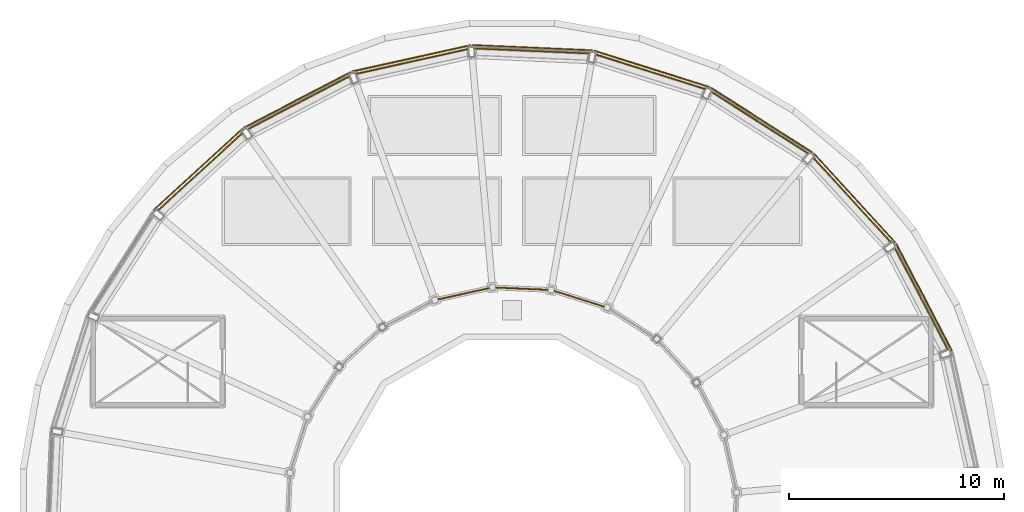
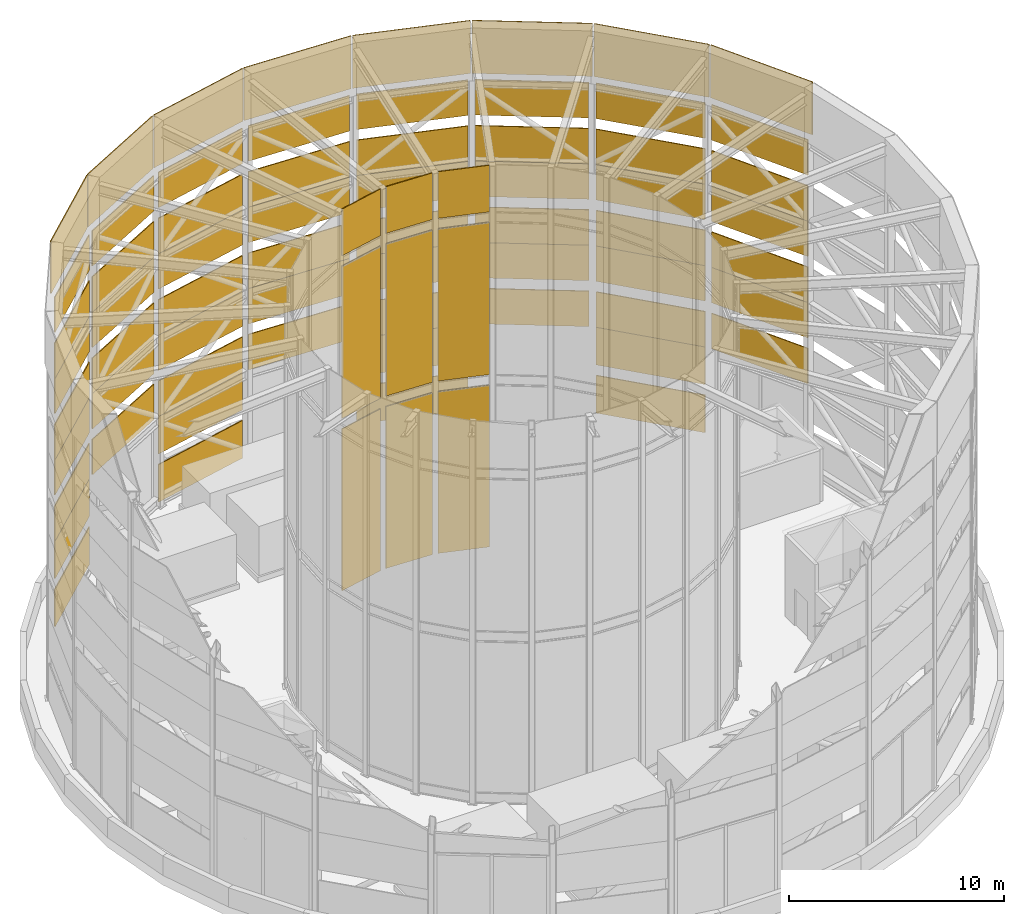
# One storey, part 19 of 20: 65 shading devices, 8 coverings.
"""IFC4 building model written with IfcOpenShell, lengths in metres."""

from ifc_helpers import new_model, si_unit, direction, frame, origin, origin_2d, place, context, subcontext, project, spatial, rectangle, extrude, material, layer, layer_set, type_object, element, save


model = new_model("IFC4")

# Units and contexts
model_context = context("Model", 3, precision=1e-05, world=origin(), true_north=direction((0.0, 1.0)))
body_context = subcontext(model_context, "Body", "Model", "MODEL_VIEW")
ifc_project = project(units=[si_unit("LENGTHUNIT", "METRE"), si_unit("AREAUNIT", "SQUARE_METRE"), si_unit("VOLUMEUNIT", "CUBIC_METRE"), si_unit("PLANEANGLEUNIT", "RADIAN"), si_unit("MASSUNIT", "GRAM", prefix="KILO")], contexts=[model_context])

# Site, building, storey
site_placement = place(None, origin())
site = spatial("IfcSite", under=ifc_project, at=site_placement, CompositionType="ELEMENT")
building_placement = place(site_placement, origin())
building = spatial("IfcBuilding", under=site, at=building_placement, Name="Saqina Gate Tower", CompositionType="ELEMENT")
storey_placement = place(building_placement, frame((0.0, 0.0, 284.199951171875)))
storey = spatial("IfcBuildingStorey", under=building, at=storey_placement, Name="RF", CompositionType="ELEMENT", Elevation=284.199951171875)

# Coverings
ifc_material_1 = material(Name="Glazed ceramic tile", Category="ceramic")
ifc_layer_1 = layer(ifc_material_1, 0.0400390625)
ifc_layer_set_1 = layer_set([ifc_layer_1], Name="CLAD-TILE")
covering_type = type_object("IfcCoveringType", Name="CLAD-TILE", PredefinedType="CLADDING", material=ifc_layer_set_1)
for number, where, z_axis, x_axis, name in (
    (1, (19.19580078125, 9.99267578125, 19.0), (0.0, 0.0, 1.0), (-0.461748613235, 0.887010833178, 0.0), "Crown cap cladding 2"),
    (2, (15.95556640625, 14.62060546875, 19.0), (0.0, 0.0, 1.0), (-0.675590207616, 0.73727733681, 0.0), "Crown cap cladding 3"),
    (3, (11.627685546875, 18.251953125, 19.0), (0.0, 0.0, 1.0), (-0.843391445813, 0.537299608347, 0.0), "Crown cap cladding 4"),
    (4, (6.507568359375, 20.639404296875, 19.0), (0.0, 0.0, 1.0), (-0.953716950748, 0.300705799504, 0.0), "Crown cap cladding 5"),
    (5, (0.944091796875, 21.62060546875, 19.0), (0.0, 0.0, 1.0), (-0.999048221582, 0.043619387365, 0.0), "Crown cap cladding 6"),
    (6, (-4.68408203125, 21.128173828125, 19.0), (0.0, 0.0, 1.0), (-0.97629600712, -0.216439613938, 0.0), "Crown cap cladding 7"),
    (7, (-9.99267578125, 19.19580078125, 19.0), (0.0, 0.0, 1.0), (-0.887010833178, -0.461748613235, 0.0), "Crown cap cladding 8"),
    (8, (-14.62060546875, 15.95556640625, 19.0), (0.0, 0.0, 1.0), (-0.73727733681, -0.675590207616, 0.0), "Crown cap cladding 9"),
):
    element("IfcCovering", number, at=place(storey_placement, frame(where, z_axis=z_axis, x_axis=x_axis)), inside=storey, type_object=covering_type, Name=name, PredefinedType="CLADDING", context=body_context, shape_type="SweptSolid", body=[
        extrude(rectangle(XDim=5.612548828125, YDim=0.050048828125, at=origin_2d()), origin(), (0.0, 0.0, 1.0), 3.0),
    ])

# Shading devices
ifc_material_2 = material(Name="Glazed ceramic tile", Category="ceramic")
ifc_layer_2 = layer(ifc_material_2, 0.050048828125)
ifc_layer_set_2 = layer_set([ifc_layer_2], Name="SCREEN-TILE")
shading_device_type_1 = type_object("IfcShadingDeviceType", Name="SCREEN-TILE", PredefinedType="JALOUSIE", material=ifc_layer_set_2)
for number, where, z_axis, x_axis, name in (
    (9, (19.062744140625, 9.923583984375, 4.875), (0.0, 0.0, 1.0), (-0.461748613235, 0.887010833178, 0.0), "Crown screen O2a.2"),
    (10, (19.062744140625, 9.923583984375, 12.11279296875), (0.0, 0.0, 1.0), (-0.461748613235, 0.887010833178, 0.0), "Crown screen O3b.2"),
    (11, (19.062744140625, 9.923583984375, 14.125), (0.0, 0.0, 1.0), (-0.461748613235, 0.887010833178, 0.0), "Crown screen O4a.2"),
):
    element("IfcShadingDevice", number, at=place(storey_placement, frame(where, z_axis=z_axis, x_axis=x_axis)), inside=storey, type_object=shading_device_type_1, Name=name, PredefinedType="JALOUSIE", context=body_context, shape_type="SweptSolid", body=[
        extrude(rectangle(XDim=5.310546875, YDim=0.050048828125, at=origin_2d()), origin(), (0.0, 0.0, 1.0), 2.012451171875),
    ])
shading_device_1_placement = place(storey_placement, frame((15.844970703125, 14.519287109375, 0.0), z_axis=(0.0, 0.0, 1.0), x_axis=(-0.675590207616, 0.73727733681, 0.0)))
element("IfcShadingDevice", 12, at=shading_device_1_placement, inside=storey, type_object=shading_device_type_1, Name="Crown screen O1a.3", PredefinedType="JALOUSIE", context=body_context, shape_type="SweptSolid", body=[
    extrude(rectangle(XDim=5.310546875, YDim=0.050048828125, at=origin_2d()), origin(), (0.0, 0.0, 1.0), 2.137451171875),
])
for number, where, z_axis, x_axis, name in (
    (13, (15.844970703125, 14.519287109375, 7.48779296875), (0.0, 0.0, 1.0), (-0.675590207616, 0.73727733681, 0.0), "Crown screen O2b.3"),
    (14, (15.844970703125, 14.519287109375, 9.5), (0.0, 0.0, 1.0), (-0.675590207616, 0.73727733681, 0.0), "Crown screen O3a.3"),
    (15, (15.844970703125, 14.519287109375, 16.73779296875), (0.0, 0.0, 1.0), (-0.675590207616, 0.73727733681, 0.0), "Crown screen O4b.3"),
    (16, (11.547119140625, 18.12548828125, 4.875), (0.0, 0.0, 1.0), (-0.843391445813, 0.537299608347, 0.0), "Crown screen O2a.4"),
    (17, (11.547119140625, 18.12548828125, 12.11279296875), (0.0, 0.0, 1.0), (-0.843391445813, 0.537299608347, 0.0), "Crown screen O3b.4"),
    (18, (11.547119140625, 18.12548828125, 14.125), (0.0, 0.0, 1.0), (-0.843391445813, 0.537299608347, 0.0), "Crown screen O4a.4"),
):
    element("IfcShadingDevice", number, at=place(storey_placement, frame(where, z_axis=z_axis, x_axis=x_axis)), inside=storey, type_object=shading_device_type_1, Name=name, PredefinedType="JALOUSIE", context=body_context, shape_type="SweptSolid", body=[
        extrude(rectangle(XDim=5.310546875, YDim=0.050048828125, at=origin_2d()), origin(), (0.0, 0.0, 1.0), 2.012451171875),
    ])
shading_device_2_placement = place(storey_placement, frame((6.46240234375, 20.496337890625, 0.0), z_axis=(0.0, 0.0, 1.0), x_axis=(-0.953716950748, 0.300705799504, 0.0)))
element("IfcShadingDevice", 19, at=shading_device_2_placement, inside=storey, type_object=shading_device_type_1, Name="Crown screen O1a.5", PredefinedType="JALOUSIE", context=body_context, shape_type="SweptSolid", body=[
    extrude(rectangle(XDim=5.310546875, YDim=0.050048828125, at=origin_2d()), origin(), (0.0, 0.0, 1.0), 2.137451171875),
])
for number, where, z_axis, x_axis, name in (
    (20, (6.46240234375, 20.496337890625, 7.48779296875), (0.0, 0.0, 1.0), (-0.953716950748, 0.300705799504, 0.0), "Crown screen O2b.5"),
    (21, (6.46240234375, 20.496337890625, 9.5), (0.0, 0.0, 1.0), (-0.953716950748, 0.300705799504, 0.0), "Crown screen O3a.5"),
    (22, (6.46240234375, 20.496337890625, 16.73779296875), (0.0, 0.0, 1.0), (-0.953716950748, 0.300705799504, 0.0), "Crown screen O4b.5"),
    (23, (0.9375, 21.470703125, 4.875), (0.0, 0.0, 1.0), (-0.999048221582, 0.043619387365, 0.0), "Crown screen O2a.6"),
    (24, (0.9375, 21.470703125, 12.11279296875), (0.0, 0.0, 1.0), (-0.999048221582, 0.043619387365, 0.0), "Crown screen O3b.6"),
    (25, (0.9375, 21.470703125, 14.125), (0.0, 0.0, 1.0), (-0.999048221582, 0.043619387365, 0.0), "Crown screen O4a.6"),
):
    element("IfcShadingDevice", number, at=place(storey_placement, frame(where, z_axis=z_axis, x_axis=x_axis)), inside=storey, type_object=shading_device_type_1, Name=name, PredefinedType="JALOUSIE", context=body_context, shape_type="SweptSolid", body=[
        extrude(rectangle(XDim=5.310546875, YDim=0.050048828125, at=origin_2d()), origin(), (0.0, 0.0, 1.0), 2.012451171875),
    ])
shading_device_3_placement = place(storey_placement, frame((-4.651611328125, 20.981689453125, 0.0), z_axis=(0.0, 0.0, 1.0), x_axis=(-0.97629600712, -0.216439613938, 0.0)))
element("IfcShadingDevice", 26, at=shading_device_3_placement, inside=storey, type_object=shading_device_type_1, Name="Crown screen O1a.7", PredefinedType="JALOUSIE", context=body_context, shape_type="SweptSolid", body=[
    extrude(rectangle(XDim=5.310546875, YDim=0.050048828125, at=origin_2d()), origin(), (0.0, 0.0, 1.0), 2.137451171875),
])
for number, where, z_axis, x_axis, name in (
    (27, (-4.651611328125, 20.981689453125, 7.48779296875), (0.0, 0.0, 1.0), (-0.97629600712, -0.216439613938, 0.0), "Crown screen O2b.7"),
    (28, (-4.651611328125, 20.981689453125, 9.5), (0.0, 0.0, 1.0), (-0.97629600712, -0.216439613938, 0.0), "Crown screen O3a.7"),
    (29, (-4.651611328125, 20.981689453125, 16.73779296875), (0.0, 0.0, 1.0), (-0.97629600712, -0.216439613938, 0.0), "Crown screen O4b.7"),
    (30, (-9.923583984375, 19.062744140625, 4.875), (0.0, 0.0, 1.0), (-0.887010833178, -0.461748613235, 0.0), "Crown screen O2a.8"),
    (31, (-9.923583984375, 19.062744140625, 12.11279296875), (0.0, 0.0, 1.0), (-0.887010833178, -0.461748613235, 0.0), "Crown screen O3b.8"),
    (32, (-9.923583984375, 19.062744140625, 14.125), (0.0, 0.0, 1.0), (-0.887010833178, -0.461748613235, 0.0), "Crown screen O4a.8"),
):
    element("IfcShadingDevice", number, at=place(storey_placement, frame(where, z_axis=z_axis, x_axis=x_axis)), inside=storey, type_object=shading_device_type_1, Name=name, PredefinedType="JALOUSIE", context=body_context, shape_type="SweptSolid", body=[
        extrude(rectangle(XDim=5.310546875, YDim=0.050048828125, at=origin_2d()), origin(), (0.0, 0.0, 1.0), 2.012451171875),
    ])
shading_device_4_placement = place(storey_placement, frame((-14.519287109375, 15.844970703125, 0.0), z_axis=(0.0, 0.0, 1.0), x_axis=(-0.73727733681, -0.675590207616, 0.0)))
element("IfcShadingDevice", 33, at=shading_device_4_placement, inside=storey, type_object=shading_device_type_1, Name="Crown screen O1a.9", PredefinedType="JALOUSIE", context=body_context, shape_type="SweptSolid", body=[
    extrude(rectangle(XDim=5.310546875, YDim=0.050048828125, at=origin_2d()), origin(), (0.0, 0.0, 1.0), 2.137451171875),
])
for number, where, z_axis, x_axis, name in (
    (34, (-14.519287109375, 15.844970703125, 7.48779296875), (0.0, 0.0, 1.0), (-0.73727733681, -0.675590207616, 0.0), "Crown screen O2b.9"),
    (35, (-14.519287109375, 15.844970703125, 9.5), (0.0, 0.0, 1.0), (-0.73727733681, -0.675590207616, 0.0), "Crown screen O3a.9"),
    (36, (-14.519287109375, 15.844970703125, 16.73779296875), (0.0, 0.0, 1.0), (-0.73727733681, -0.675590207616, 0.0), "Crown screen O4b.9"),
):
    element("IfcShadingDevice", number, at=place(storey_placement, frame(where, z_axis=z_axis, x_axis=x_axis)), inside=storey, type_object=shading_device_type_1, Name=name, PredefinedType="JALOUSIE", context=body_context, shape_type="SweptSolid", body=[
        extrude(rectangle(XDim=5.310546875, YDim=0.050048828125, at=origin_2d()), origin(), (0.0, 0.0, 1.0), 2.012451171875),
    ])
shading_device_5_placement = place(storey_placement, frame((3.13037109375, 9.928466796875, 0.0), z_axis=(0.0, 0.0, 1.0), x_axis=(-0.953716950748, 0.300705799504, 0.0)))
element("IfcShadingDevice", 37, at=shading_device_5_placement, inside=storey, type_object=shading_device_type_1, Name="Crown screen I1.5", PredefinedType="JALOUSIE", context=body_context, shape_type="SweptSolid", body=[
    extrude(rectangle(XDim=2.43896484375, YDim=0.050048828125, at=origin_2d()), origin(), (0.0, 0.0, 1.0), 9.199951171875),
])
shading_device_6_placement = place(storey_placement, frame((3.13037109375, 9.928466796875, 9.800048828125), z_axis=(0.0, 0.0, 1.0), x_axis=(-0.953716950748, 0.300705799504, 0.0)))
element("IfcShadingDevice", 38, at=shading_device_6_placement, inside=storey, type_object=shading_device_type_1, Name="Crown screen I2.5", PredefinedType="JALOUSIE", context=body_context, shape_type="SweptSolid", body=[
    extrude(rectangle(XDim=2.43896484375, YDim=0.050048828125, at=origin_2d()), origin(), (0.0, 0.0, 1.0), 8.64990234375),
])
shading_device_7_placement = place(storey_placement, frame((3.13037109375, 9.928466796875, 19.050048828125), z_axis=(0.0, 0.0, 1.0), x_axis=(-0.953716950748, 0.300705799504, 0.0)))
element("IfcShadingDevice", 39, at=shading_device_7_placement, inside=storey, type_object=shading_device_type_1, Name="Crown screen I9.5", PredefinedType="JALOUSIE", context=body_context, shape_type="SweptSolid", body=[
    extrude(rectangle(XDim=2.43896484375, YDim=0.050048828125, at=origin_2d()), origin(), (0.0, 0.0, 1.0), 2.64990234375),
])
shading_device_8_placement = place(storey_placement, frame((0.4541015625, 10.400390625, 0.0), z_axis=(0.0, 0.0, 1.0), x_axis=(-0.999048221582, 0.043619387365, 0.0)))
element("IfcShadingDevice", 40, at=shading_device_8_placement, inside=storey, type_object=shading_device_type_1, Name="Crown screen I1.6", PredefinedType="JALOUSIE", context=body_context, shape_type="SweptSolid", body=[
    extrude(rectangle(XDim=2.43896484375, YDim=0.050048828125, at=origin_2d()), origin(), (0.0, 0.0, 1.0), 9.199951171875),
])
shading_device_9_placement = place(storey_placement, frame((0.4541015625, 10.400390625, 9.800048828125), z_axis=(0.0, 0.0, 1.0), x_axis=(-0.999048221582, 0.043619387365, 0.0)))
element("IfcShadingDevice", 41, at=shading_device_9_placement, inside=storey, type_object=shading_device_type_1, Name="Crown screen I2.6", PredefinedType="JALOUSIE", context=body_context, shape_type="SweptSolid", body=[
    extrude(rectangle(XDim=2.43896484375, YDim=0.050048828125, at=origin_2d()), origin(), (0.0, 0.0, 1.0), 8.64990234375),
])
shading_device_10_placement = place(storey_placement, frame((0.4541015625, 10.400390625, 19.050048828125), z_axis=(0.0, 0.0, 1.0), x_axis=(-0.999048221582, 0.043619387365, 0.0)))
element("IfcShadingDevice", 42, at=shading_device_10_placement, inside=storey, type_object=shading_device_type_1, Name="Crown screen I9.6", PredefinedType="JALOUSIE", context=body_context, shape_type="SweptSolid", body=[
    extrude(rectangle(XDim=2.43896484375, YDim=0.050048828125, at=origin_2d()), origin(), (0.0, 0.0, 1.0), 2.64990234375),
])
shading_device_11_placement = place(storey_placement, frame((-2.253173828125, 10.163330078125, 0.0), z_axis=(0.0, 0.0, 1.0), x_axis=(-0.97629600712, -0.216439613938, 0.0)))
element("IfcShadingDevice", 43, at=shading_device_11_placement, inside=storey, type_object=shading_device_type_1, Name="Crown screen I1.7", PredefinedType="JALOUSIE", context=body_context, shape_type="SweptSolid", body=[
    extrude(rectangle(XDim=2.439208984375, YDim=0.050048828125, at=origin_2d()), origin(), (0.0, 0.0, 1.0), 9.199951171875),
])
shading_device_12_placement = place(storey_placement, frame((-2.253173828125, 10.163330078125, 9.800048828125), z_axis=(0.0, 0.0, 1.0), x_axis=(-0.97629600712, -0.216439613938, 0.0)))
element("IfcShadingDevice", 44, at=shading_device_12_placement, inside=storey, type_object=shading_device_type_1, Name="Crown screen I2.7", PredefinedType="JALOUSIE", context=body_context, shape_type="SweptSolid", body=[
    extrude(rectangle(XDim=2.439208984375, YDim=0.050048828125, at=origin_2d()), origin(), (0.0, 0.0, 1.0), 8.64990234375),
])
shading_device_13_placement = place(storey_placement, frame((-2.253173828125, 10.163330078125, 19.050048828125), z_axis=(0.0, 0.0, 1.0), x_axis=(-0.97629600712, -0.216439613938, 0.0)))
element("IfcShadingDevice", 45, at=shading_device_13_placement, inside=storey, type_object=shading_device_type_1, Name="Crown screen I9.7", PredefinedType="JALOUSIE", context=body_context, shape_type="SweptSolid", body=[
    extrude(rectangle(XDim=2.439208984375, YDim=0.050048828125, at=origin_2d()), origin(), (0.0, 0.0, 1.0), 2.64990234375),
])
ifc_material_3 = material(Name="Glazed ceramic tile (dark blue)", Category="ceramic")
ifc_layer_3 = layer(ifc_material_3, 0.050048828125)
ifc_layer_set_3 = layer_set([ifc_layer_3], Name="SCREEN-TILE-CB")
shading_device_type_2 = type_object("IfcShadingDeviceType", Name="SCREEN-TILE-CB", PredefinedType="JALOUSIE", material=ifc_layer_set_3)
for number, where, z_axis, x_axis, name in (
    (46, (19.062744140625, 9.923583984375, 7.48779296875), (0.0, 0.0, 1.0), (-0.461748613235, 0.887010833178, 0.0), "Crown screen O2b.2"),
    (47, (19.062744140625, 9.923583984375, 9.5), (0.0, 0.0, 1.0), (-0.461748613235, 0.887010833178, 0.0), "Crown screen O3a.2"),
    (48, (19.062744140625, 9.923583984375, 16.73779296875), (0.0, 0.0, 1.0), (-0.461748613235, 0.887010833178, 0.0), "Crown screen O4b.2"),
):
    element("IfcShadingDevice", number, at=place(storey_placement, frame(where, z_axis=z_axis, x_axis=x_axis)), inside=storey, type_object=shading_device_type_2, Name=name, PredefinedType="JALOUSIE", context=body_context, shape_type="SweptSolid", body=[
        extrude(rectangle(XDim=5.310546875, YDim=0.050048828125, at=origin_2d()), origin(), (0.0, 0.0, 1.0), 2.012451171875),
    ])
shading_device_14_placement = place(storey_placement, frame((15.844970703125, 14.519287109375, 2.73779296875), z_axis=(0.0, 0.0, 1.0), x_axis=(-0.675590207616, 0.73727733681, 0.0)))
element("IfcShadingDevice", 49, at=shading_device_14_placement, inside=storey, type_object=shading_device_type_2, Name="Crown screen O1b.3", PredefinedType="JALOUSIE", context=body_context, shape_type="SweptSolid", body=[
    extrude(rectangle(XDim=5.310546875, YDim=0.050048828125, at=origin_2d()), origin(), (0.0, 0.0, 1.0), 2.137451171875),
])
for number, where, z_axis, x_axis, name in (
    (50, (15.844970703125, 14.519287109375, 4.875), (0.0, 0.0, 1.0), (-0.675590207616, 0.73727733681, 0.0), "Crown screen O2a.3"),
    (51, (15.844970703125, 14.519287109375, 12.11279296875), (0.0, 0.0, 1.0), (-0.675590207616, 0.73727733681, 0.0), "Crown screen O3b.3"),
    (52, (15.844970703125, 14.519287109375, 14.125), (0.0, 0.0, 1.0), (-0.675590207616, 0.73727733681, 0.0), "Crown screen O4a.3"),
    (53, (11.547119140625, 18.12548828125, 7.48779296875), (0.0, 0.0, 1.0), (-0.843391445813, 0.537299608347, 0.0), "Crown screen O2b.4"),
    (54, (11.547119140625, 18.12548828125, 9.5), (0.0, 0.0, 1.0), (-0.843391445813, 0.537299608347, 0.0), "Crown screen O3a.4"),
    (55, (11.547119140625, 18.12548828125, 16.73779296875), (0.0, 0.0, 1.0), (-0.843391445813, 0.537299608347, 0.0), "Crown screen O4b.4"),
):
    element("IfcShadingDevice", number, at=place(storey_placement, frame(where, z_axis=z_axis, x_axis=x_axis)), inside=storey, type_object=shading_device_type_2, Name=name, PredefinedType="JALOUSIE", context=body_context, shape_type="SweptSolid", body=[
        extrude(rectangle(XDim=5.310546875, YDim=0.050048828125, at=origin_2d()), origin(), (0.0, 0.0, 1.0), 2.012451171875),
    ])
shading_device_15_placement = place(storey_placement, frame((6.46240234375, 20.496337890625, 2.73779296875), z_axis=(0.0, 0.0, 1.0), x_axis=(-0.953716950748, 0.300705799504, 0.0)))
element("IfcShadingDevice", 56, at=shading_device_15_placement, inside=storey, type_object=shading_device_type_2, Name="Crown screen O1b.5", PredefinedType="JALOUSIE", context=body_context, shape_type="SweptSolid", body=[
    extrude(rectangle(XDim=5.310546875, YDim=0.050048828125, at=origin_2d()), origin(), (0.0, 0.0, 1.0), 2.137451171875),
])
for number, where, z_axis, x_axis, name in (
    (57, (6.46240234375, 20.496337890625, 4.875), (0.0, 0.0, 1.0), (-0.953716950748, 0.300705799504, 0.0), "Crown screen O2a.5"),
    (58, (6.46240234375, 20.496337890625, 12.11279296875), (0.0, 0.0, 1.0), (-0.953716950748, 0.300705799504, 0.0), "Crown screen O3b.5"),
    (59, (6.46240234375, 20.496337890625, 14.125), (0.0, 0.0, 1.0), (-0.953716950748, 0.300705799504, 0.0), "Crown screen O4a.5"),
    (60, (0.9375, 21.470703125, 7.48779296875), (0.0, 0.0, 1.0), (-0.999048221582, 0.043619387365, 0.0), "Crown screen O2b.6"),
    (61, (0.9375, 21.470703125, 9.5), (0.0, 0.0, 1.0), (-0.999048221582, 0.043619387365, 0.0), "Crown screen O3a.6"),
    (62, (0.9375, 21.470703125, 16.73779296875), (0.0, 0.0, 1.0), (-0.999048221582, 0.043619387365, 0.0), "Crown screen O4b.6"),
):
    element("IfcShadingDevice", number, at=place(storey_placement, frame(where, z_axis=z_axis, x_axis=x_axis)), inside=storey, type_object=shading_device_type_2, Name=name, PredefinedType="JALOUSIE", context=body_context, shape_type="SweptSolid", body=[
        extrude(rectangle(XDim=5.310546875, YDim=0.050048828125, at=origin_2d()), origin(), (0.0, 0.0, 1.0), 2.012451171875),
    ])
shading_device_16_placement = place(storey_placement, frame((-4.651611328125, 20.981689453125, 2.73779296875), z_axis=(0.0, 0.0, 1.0), x_axis=(-0.97629600712, -0.216439613938, 0.0)))
element("IfcShadingDevice", 63, at=shading_device_16_placement, inside=storey, type_object=shading_device_type_2, Name="Crown screen O1b.7", PredefinedType="JALOUSIE", context=body_context, shape_type="SweptSolid", body=[
    extrude(rectangle(XDim=5.310546875, YDim=0.050048828125, at=origin_2d()), origin(), (0.0, 0.0, 1.0), 2.137451171875),
])
for number, where, z_axis, x_axis, name in (
    (64, (-4.651611328125, 20.981689453125, 4.875), (0.0, 0.0, 1.0), (-0.97629600712, -0.216439613938, 0.0), "Crown screen O2a.7"),
    (65, (-4.651611328125, 20.981689453125, 12.11279296875), (0.0, 0.0, 1.0), (-0.97629600712, -0.216439613938, 0.0), "Crown screen O3b.7"),
    (66, (-4.651611328125, 20.981689453125, 14.125), (0.0, 0.0, 1.0), (-0.97629600712, -0.216439613938, 0.0), "Crown screen O4a.7"),
    (67, (-9.923583984375, 19.062744140625, 7.48779296875), (0.0, 0.0, 1.0), (-0.887010833178, -0.461748613235, 0.0), "Crown screen O2b.8"),
    (68, (-9.923583984375, 19.062744140625, 9.5), (0.0, 0.0, 1.0), (-0.887010833178, -0.461748613235, 0.0), "Crown screen O3a.8"),
    (69, (-9.923583984375, 19.062744140625, 16.73779296875), (0.0, 0.0, 1.0), (-0.887010833178, -0.461748613235, 0.0), "Crown screen O4b.8"),
):
    element("IfcShadingDevice", number, at=place(storey_placement, frame(where, z_axis=z_axis, x_axis=x_axis)), inside=storey, type_object=shading_device_type_2, Name=name, PredefinedType="JALOUSIE", context=body_context, shape_type="SweptSolid", body=[
        extrude(rectangle(XDim=5.310546875, YDim=0.050048828125, at=origin_2d()), origin(), (0.0, 0.0, 1.0), 2.012451171875),
    ])
shading_device_17_placement = place(storey_placement, frame((-14.519287109375, 15.844970703125, 2.73779296875), z_axis=(0.0, 0.0, 1.0), x_axis=(-0.73727733681, -0.675590207616, 0.0)))
element("IfcShadingDevice", 70, at=shading_device_17_placement, inside=storey, type_object=shading_device_type_2, Name="Crown screen O1b.9", PredefinedType="JALOUSIE", context=body_context, shape_type="SweptSolid", body=[
    extrude(rectangle(XDim=5.310546875, YDim=0.050048828125, at=origin_2d()), origin(), (0.0, 0.0, 1.0), 2.137451171875),
])
for number, where, z_axis, x_axis, name in (
    (71, (-14.519287109375, 15.844970703125, 4.875), (0.0, 0.0, 1.0), (-0.73727733681, -0.675590207616, 0.0), "Crown screen O2a.9"),
    (72, (-14.519287109375, 15.844970703125, 12.11279296875), (0.0, 0.0, 1.0), (-0.73727733681, -0.675590207616, 0.0), "Crown screen O3b.9"),
    (73, (-14.519287109375, 15.844970703125, 14.125), (0.0, 0.0, 1.0), (-0.73727733681, -0.675590207616, 0.0), "Crown screen O4a.9"),
):
    element("IfcShadingDevice", number, at=place(storey_placement, frame(where, z_axis=z_axis, x_axis=x_axis)), inside=storey, type_object=shading_device_type_2, Name=name, PredefinedType="JALOUSIE", context=body_context, shape_type="SweptSolid", body=[
        extrude(rectangle(XDim=5.310546875, YDim=0.050048828125, at=origin_2d()), origin(), (0.0, 0.0, 1.0), 2.012451171875),
    ])

save(model, "model.ifc")
